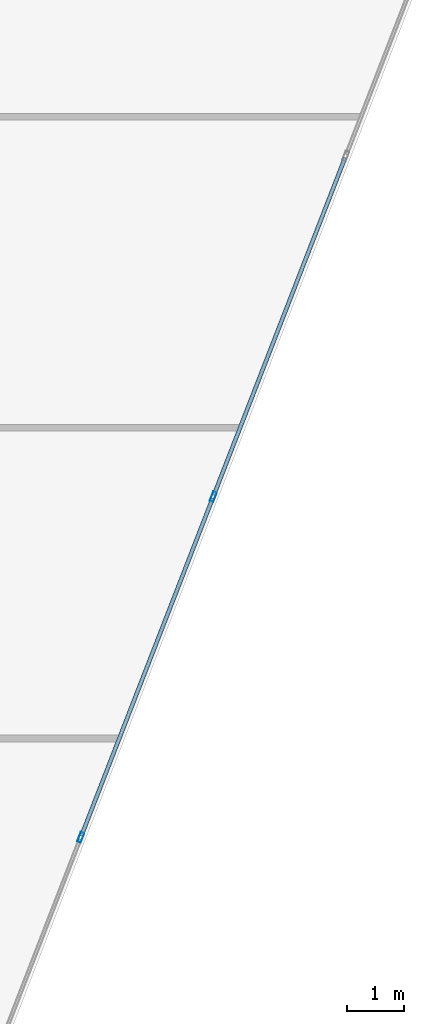
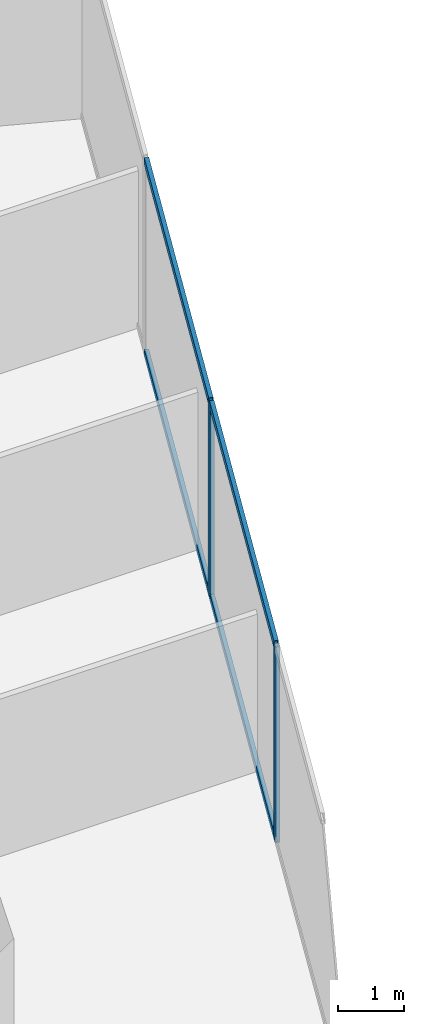
# One storey, part 12 of 26: 6 members, 1 element without a shape of its own.
"""IFC4 building model written with IfcOpenShell, lengths in metres."""

from ifc_helpers import new_model, si_unit, direction, frame, origin, origin_2d, place, context, subcontext, project, spatial, hollow_rectangle, extrude, source, transform, mapped, material, material_profile, profile_set, type_object, type_shapes, element, aggregate, save


model = new_model("IFC4")

# Units and contexts
model_context = context("Model", 3, precision=1e-05, world=origin(), true_north=direction((0.0, 1.0)))
body_context = subcontext(model_context, "Body", "Model", "MODEL_VIEW")
ifc_project = project(units=[si_unit("LENGTHUNIT", "METRE"), si_unit("AREAUNIT", "SQUARE_METRE"), si_unit("VOLUMEUNIT", "CUBIC_METRE"), si_unit("PLANEANGLEUNIT", "RADIAN"), si_unit("MASSUNIT", "GRAM", prefix="KILO")], contexts=[model_context])

# Site, building, storey
site_placement = place(None, origin())
site = spatial("IfcSite", under=ifc_project, at=site_placement, CompositionType="ELEMENT")
building_placement = place(site_placement, origin())
building = spatial("IfcBuilding", under=site, at=building_placement, Name="Krantzveldt Concourse Tower", CompositionType="ELEMENT")
storey_placement = place(building_placement, frame((0.0, 0.0, 137.449951171875)))
storey = spatial("IfcBuildingStorey", under=building, at=storey_placement, Name="L33", CompositionType="ELEMENT", Elevation=137.449951171875)

# Curtain wall, members
ifc_material = material(Name="Anodised aluminium 6063-T6", Category="aluminium")
curtain_wall_type = type_object("IfcCurtainWallType", Name="CW2", PredefinedType="USERDEFINED", material=ifc_material)
curtain_wall_placement = place(storey_placement, origin())
curtain_wall = element("IfcCurtainWall", 1, at=curtain_wall_placement, inside=storey, type_object=curtain_wall_type, Name="CW-L33-F11", ObjectType="UNITISED CURTAIN WALL", PredefinedType="USERDEFINED")
ifc_material_profile_1 = material_profile(ifc_material, hollow_rectangle(XDim=0.070068359375, YDim=0.139892578125, WallThickness=0.0048828125, at=origin_2d()), Name="Anodised aluminium 6063-T6", Category="aluminium")
ifc_profile_set_1 = profile_set([ifc_material_profile_1], Name="Anodised aluminium 6063-T6 - ALU-TRAN 140x70x5")
member_type_1 = type_object("IfcMemberType", Name="CW-TRN-150", PredefinedType="USERDEFINED", material=ifc_profile_set_1)
shared_shape_1 = source(origin(), body_context, "Body", "SweptSolid", [
    extrude(hollow_rectangle(XDim=0.070068359375, YDim=0.139892578125, WallThickness=0.0048828125, at=origin_2d()), origin(), (0.0, 0.0, 1.0), 6.396484375),
])
type_shapes(member_type_1, [shared_shape_1])
member_1_placement = place(storey_placement, frame((57.73779296875, 18.2841796875, 0.03515625), z_axis=(0.36243705186, 0.932008252882, 0.0), x_axis=(-0.932008252882, 0.36243705186, 0.0)))
member_1 = element("IfcMember", 2, at=member_1_placement, type_object=member_type_1, Name="CW-Z12 transom 4.1", ObjectType="TRANSOM", PredefinedType="USERDEFINED", context=body_context, shape_type="MappedRepresentation", body=[
    mapped(shared_shape_1, transform((0.0, 0.0, 0.0), x_axis=(1.0, 0.0, 0.0), y_axis=(0.0, 1.0, 0.0), z_axis=(0.0, 0.0, 1.0), scale=1.0)),
])
member_2_placement = place(storey_placement, frame((57.73779296875, 18.2841796875, 3.56494140625), z_axis=(0.36243705186, 0.932008252882, 0.0), x_axis=(-0.932008252882, 0.36243705186, 0.0)))
member_2 = element("IfcMember", 3, at=member_2_placement, type_object=member_type_1, Name="CW-Z12 transom 4.2", ObjectType="TRANSOM", PredefinedType="USERDEFINED", context=body_context, shape_type="MappedRepresentation", body=[
    mapped(shared_shape_1, transform((0.0, 0.0, 0.0), x_axis=(1.0, 0.0, 0.0), y_axis=(0.0, 1.0, 0.0), z_axis=(0.0, 0.0, 1.0), scale=1.0)),
])
member_3_placement = place(storey_placement, frame((60.08154296875, 24.311279296875, 0.03515625), z_axis=(0.36243705186, 0.932008252882, 0.0), x_axis=(-0.932008252882, 0.36243705186, 0.0)))
member_3 = element("IfcMember", 4, at=member_3_placement, type_object=member_type_1, Name="CW-Z12 transom 5.1", ObjectType="TRANSOM", PredefinedType="USERDEFINED", context=body_context, shape_type="MappedRepresentation", body=[
    mapped(shared_shape_1, transform((0.0, 0.0, 0.0), x_axis=(1.0, 0.0, 0.0), y_axis=(0.0, 1.0, 0.0), z_axis=(0.0, 0.0, 1.0), scale=1.0)),
])
member_4_placement = place(storey_placement, frame((60.08154296875, 24.311279296875, 3.56494140625), z_axis=(0.36243705186, 0.932008252882, 0.0), x_axis=(-0.932008252882, 0.36243705186, 0.0)))
member_4 = element("IfcMember", 5, at=member_4_placement, type_object=member_type_1, Name="CW-Z12 transom 5.2", ObjectType="TRANSOM", PredefinedType="USERDEFINED", context=body_context, shape_type="MappedRepresentation", body=[
    mapped(shared_shape_1, transform((0.0, 0.0, 0.0), x_axis=(1.0, 0.0, 0.0), y_axis=(0.0, 1.0, 0.0), z_axis=(0.0, 0.0, 1.0), scale=1.0)),
])
ifc_material_profile_2 = material_profile(ifc_material, hollow_rectangle(XDim=0.070068359375, YDim=0.179931640625, WallThickness=0.0048828125, at=origin_2d()), Name="Anodised aluminium 6063-T6", Category="aluminium")
ifc_profile_set_2 = profile_set([ifc_material_profile_2], Name="Anodised aluminium 6063-T6 - ALU-MULL 180x70x5")
member_type_2 = type_object("IfcMemberType", Name="CW-MUL-180", PredefinedType="MULLION", material=ifc_profile_set_2)
shared_shape_2 = source(origin(), body_context, "Body", "SweptSolid", [
    extrude(hollow_rectangle(XDim=0.070068359375, YDim=0.179931640625, WallThickness=0.0048828125, at=origin_2d()), origin(), (0.0, 0.0, 1.0), 3.60009765625),
])
type_shapes(member_type_2, [shared_shape_2])
member_5_placement = place(storey_placement, frame((57.72509765625, 18.25146484375, 0.0), z_axis=(0.0, 0.0, 1.0), x_axis=(-0.93200790248, 0.362437952917, 0.0)))
member_5 = element("IfcMember", 6, at=member_5_placement, type_object=member_type_2, Name="CW-Z12 mullion 4", PredefinedType="MULLION", context=body_context, shape_type="MappedRepresentation", body=[
    mapped(shared_shape_2, transform((0.0, 0.0, 0.0), x_axis=(1.0, 0.0, 0.0), y_axis=(0.0, 1.0, 0.0), z_axis=(0.0, 0.0, 1.0), scale=1.0)),
])
member_6_placement = place(storey_placement, frame((60.06884765625, 24.278564453125, 0.0), z_axis=(0.0, 0.0, 1.0), x_axis=(-0.93200790248, 0.362437952917, 0.0)))
member_6 = element("IfcMember", 7, at=member_6_placement, type_object=member_type_2, Name="CW-Z12 mullion 5", PredefinedType="MULLION", context=body_context, shape_type="MappedRepresentation", body=[
    mapped(shared_shape_2, transform((0.0, 0.0, 0.0), x_axis=(1.0, 0.0, 0.0), y_axis=(0.0, 1.0, 0.0), z_axis=(0.0, 0.0, 1.0), scale=1.0)),
])
aggregate(curtain_wall, [member_5, member_6, member_1, member_2, member_3, member_4])

save(model, "model.ifc")
